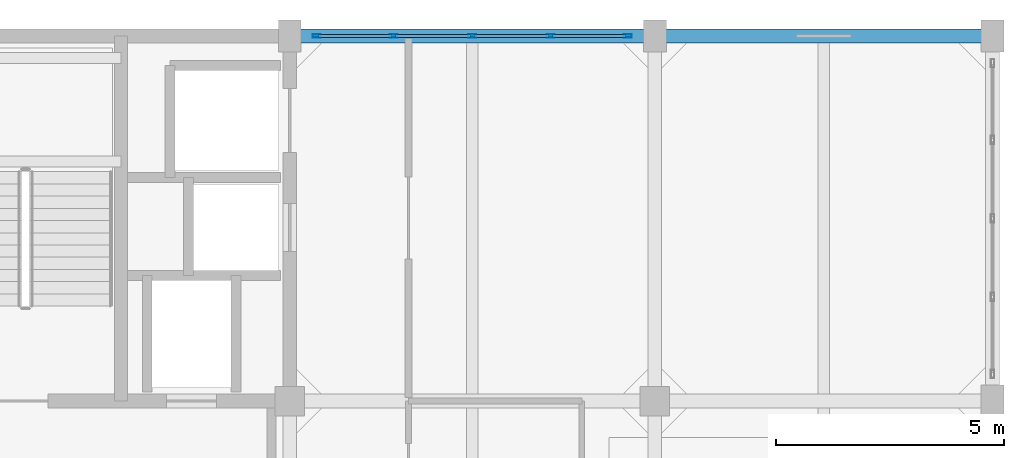
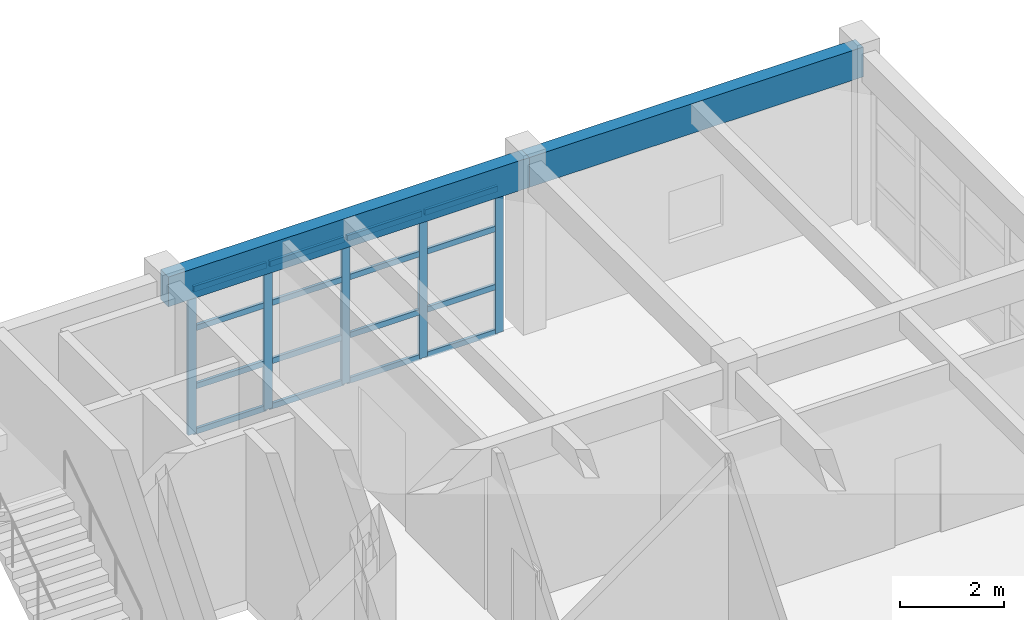
# One storey, part 10 of 16: 21 members, 2 beams, 1 element without a shape of its own.
"""IFC4 building model written with IfcOpenShell, lengths in metres."""

import ifcopenshell
import ifcopenshell.guid

model = None  # the IFC model being written
_history = None  # IfcOwnerHistory: only IFC2X3 demands one
_inside = {}  # id of a spatial element -> (the spatial element, [elements in it])
_under = {}  # id of a project, library or spatial element -> (it, [spatial elements below it])
_declared = {}  # id of a project -> (the project, [libraries it declares])
_typed = {}  # id of a type object -> (the type object, [elements of that type])
_made_of = {}  # id of a material, layer set ... -> (it, [elements and type objects made of it])


def new_model(schema):
    """Start an empty IFC model of exactly this schema.

    Asked for "IFC4X3", IfcOpenShell would pick the latest addendum, in which some entities
    have other attributes; the version numbers below select the first issue.
    IFC2X3 requires an IfcOwnerHistory on every rooted entity: one is made here for all.
    """
    global model, _history
    if schema == "IFC4X3":
        model = ifcopenshell.file(schema_version=(4, 3, 0, 0))
    else:
        model = ifcopenshell.file(schema=schema)
    _inside.clear()
    _under.clear()
    _declared.clear()
    _typed.clear()
    _made_of.clear()
    _history = None
    if model.schema == "IFC2X3":
        org = make("IfcOrganization", Name="unknown")
        user = make(
            "IfcPersonAndOrganization",
            ThePerson=make("IfcPerson", FamilyName="unknown"),
            TheOrganization=org,
        )
        app = make(
            "IfcApplication",
            ApplicationDeveloper=org,
            Version="unknown",
            ApplicationFullName="unknown",
            ApplicationIdentifier="unknown",
        )
        _history = make(
            "IfcOwnerHistory",
            OwningUser=user,
            OwningApplication=app,
            ChangeAction="ADDED",
            CreationDate=0,
        )
    return model


def make(cls, **values):
    """One entity of the class cls with the attributes given. An attribute that is None is left unset."""
    return model.create_entity(
        cls, **{name: value for name, value in values.items() if value is not None}
    )


def rooted(cls, **values):
    """An entity with a GlobalId (a new one), such as an element, a storey or a relation."""
    return make(cls, GlobalId=ifcopenshell.guid.new(), OwnerHistory=_history, **values)


def si_unit(unit_type, name, prefix=None):
    """IfcSIUnit, for example si_unit("LENGTHUNIT", "METRE", prefix="MILLI")."""
    return make("IfcSIUnit", UnitType=unit_type, Prefix=prefix, Name=name)


def assignment(units):
    """IfcUnitAssignment: the units of a project."""
    return None if units is None else make("IfcUnitAssignment", Units=units)


def point(xyz):
    """IfcCartesianPoint."""
    return None if xyz is None else make("IfcCartesianPoint", Coordinates=xyz)


def direction(xyz):
    """IfcDirection."""
    return None if xyz is None else make("IfcDirection", DirectionRatios=xyz)


def frame(location, z_axis=None, x_axis=None):
    """IfcAxis2Placement3D, a coordinate frame: its origin and axes. An axis left out is left unset."""
    return make(
        "IfcAxis2Placement3D",
        Location=point(location),
        Axis=direction(z_axis),
        RefDirection=direction(x_axis),
    )


def frame_2d(location, x_axis=None):
    """IfcAxis2Placement2D, a coordinate frame in the plane: its origin and x axis."""
    return make(
        "IfcAxis2Placement2D", Location=point(location), RefDirection=direction(x_axis)
    )


def origin():
    """The frame at (0, 0, 0) with its axes left unset."""
    return frame((0.0, 0.0, 0.0))


def origin_2d():
    """The frame at (0, 0) in the plane with its x axis left unset."""
    return frame_2d((0.0, 0.0))


def place(relative_to, where):
    """IfcLocalPlacement: puts the frame where relative to a parent placement (None: the world)."""
    return make(
        "IfcLocalPlacement", PlacementRelTo=relative_to, RelativePlacement=where
    )


def context(
    kind, dimensions, precision=None, world=None, true_north=None, identifier=None
):
    """IfcGeometricRepresentationContext, for example the 3D "Model" context."""
    return make(
        "IfcGeometricRepresentationContext",
        ContextIdentifier=identifier,
        ContextType=kind,
        CoordinateSpaceDimension=dimensions,
        Precision=precision,
        WorldCoordinateSystem=world,
        TrueNorth=true_north,
    )


def subcontext(parent, identifier, kind, view, scale=None):
    """IfcGeometricRepresentationSubContext, for example "Body" below "Model"."""
    return make(
        "IfcGeometricRepresentationSubContext",
        ContextIdentifier=identifier,
        ContextType=kind,
        ParentContext=parent,
        TargetScale=scale,
        TargetView=view,
    )


def project(units=None, contexts=None):
    """IfcProject with its units and contexts."""
    return rooted(
        "IfcProject",
        Name="project",
        RepresentationContexts=contexts,
        UnitsInContext=assignment(units),
    )


def spatial(cls, under=None, at=None, **own):
    """A site, building, storey or space (cls), placed at a placement, below another one or the project."""
    s = rooted(cls, ObjectPlacement=at, **own)
    if under is not None:
        _under.setdefault(under.id(), (under, []))[1].append(s)
    return s


def profile(cls, at=None, kind="AREA", **sizes):
    """A parametric profile (cls). Its sizes go by their IFC names, for example OverallWidth=200.0."""
    return make(cls, ProfileType=kind, Position=at, **sizes)


def rectangle(**sizes):
    """IfcRectangleProfileDef."""
    return profile("IfcRectangleProfileDef", **sizes)


def hollow_rectangle(**sizes):
    """IfcRectangleHollowProfileDef."""
    return profile("IfcRectangleHollowProfileDef", **sizes)


def extrude(swept, where, along, depth):
    """IfcExtrudedAreaSolid: the profile swept, set in the frame where, extruded along a direction by depth."""
    return make(
        "IfcExtrudedAreaSolid",
        SweptArea=swept,
        Position=where,
        ExtrudedDirection=direction(along),
        Depth=depth,
    )


def shape(context_of_items, identifier, shape_type, items):
    """IfcShapeRepresentation: the items that make up one representation, for example the "Body"."""
    return make(
        "IfcShapeRepresentation",
        ContextOfItems=context_of_items,
        RepresentationIdentifier=identifier,
        RepresentationType=shape_type,
        Items=items,
    )


def material(Name=None, Category=None):
    """IfcMaterial."""
    return make("IfcMaterial", Name=Name, Category=Category)


def layer(
    of_material, thickness, ventilated=None, Name=None, Category=None, Priority=None
):
    """IfcMaterialLayer: one layer of a wall or slab, of a material (None: an air gap)."""
    return make(
        "IfcMaterialLayer",
        Material=of_material,
        LayerThickness=thickness,
        IsVentilated=ventilated,
        Name=Name,
        Category=Category,
        Priority=Priority,
    )


def layer_set(layers, Name=None):
    """IfcMaterialLayerSet."""
    return make("IfcMaterialLayerSet", MaterialLayers=layers, LayerSetName=Name)


def material_profile(
    of_material, cross_section, Name=None, Category=None, Priority=None
):
    """IfcMaterialProfile: a cross section and its material."""
    return make(
        "IfcMaterialProfile",
        Name=Name,
        Material=of_material,
        Profile=cross_section,
        Priority=Priority,
        Category=Category,
    )


def profile_set(profiles, Name=None, composite=None):
    """IfcMaterialProfileSet."""
    return make(
        "IfcMaterialProfileSet",
        Name=Name,
        MaterialProfiles=profiles,
        CompositeProfile=composite,
    )


def made_of(thing, what):
    """Note that an element or type object is made of a material, layer set ...; save() writes the relation."""
    if what is not None:
        _made_of.setdefault(what.id(), (what, []))[1].append(thing)
    return thing


def type_object(cls, material=None, **own):
    """A type object (cls), such as IfcWallType, which elements share."""
    return made_of(rooted(cls, **own), material)


def element(
    cls,
    number,
    at=None,
    inside=None,
    cuts=None,
    type_object=None,
    material=None,
    context=None,
    identifier="Body",
    shape_type=None,
    held_by="IfcProductDefinitionShape",
    body=None,
    shapes=None,
    **own,
):
    """One element of the class cls, such as IfcWall. Its Tag is "e" and its number.

    at: its placement. inside: the storey or other place that contains it. cuts: it is an
    opening in that element (IfcRelVoidsElement). A single representation is given by context,
    identifier, shape_type and body (its items); several are given by shapes. held_by: the class
    of the entity that holds the representations. save() writes the other relations.
    """
    e = rooted(cls, Tag="e%d" % number, ObjectPlacement=at, **own)
    if body is not None:
        shapes = [shape(context, identifier, shape_type, body)]
    if shapes is not None:
        e.Representation = make(held_by, Representations=shapes)
    if inside is not None:
        _inside.setdefault(inside.id(), (inside, []))[1].append(e)
    if cuts is not None:
        rooted(
            "IfcRelVoidsElement", RelatingBuildingElement=cuts, RelatedOpeningElement=e
        )
    if type_object is not None:
        _typed.setdefault(type_object.id(), (type_object, []))[1].append(e)
    return made_of(e, material)


def aggregate(whole, parts):
    """IfcRelAggregates: a whole, such as a stair, and the parts it consists of."""
    return rooted("IfcRelAggregates", RelatingObject=whole, RelatedObjects=parts)


def save(model, path):
    """Write the relations noted so far, then the file.

    IfcRelAggregates (storeys below a building ...), IfcRelContainedInSpatialStructure (elements
    in a storey), IfcRelDefinesByType, IfcRelAssociatesMaterial and IfcRelDeclares: one each for
    every whole, place, type object, material and project.
    """
    for whole, parts in _under.values():
        aggregate(whole, parts)
    for where, things in _inside.values():
        rooted(
            "IfcRelContainedInSpatialStructure",
            RelatedElements=things,
            RelatingStructure=where,
        )
    for kind, things in _typed.values():
        rooted("IfcRelDefinesByType", RelatedObjects=things, RelatingType=kind)
    for what, things in _made_of.values():
        rooted("IfcRelAssociatesMaterial", RelatedObjects=things, RelatingMaterial=what)
    for by, libraries in _declared.values():
        rooted("IfcRelDeclares", RelatingContext=by, RelatedDefinitions=libraries)
    model.write(path)


model = new_model("IFC4")

# Units and contexts
model_context = context("Model", 3, precision=1e-05, world=origin(), true_north=direction((0.0, 1.0)))
body_context = subcontext(model_context, "Body", "Model", "MODEL_VIEW")
ifc_project = project(units=[si_unit("LENGTHUNIT", "METRE"), si_unit("AREAUNIT", "SQUARE_METRE"), si_unit("VOLUMEUNIT", "CUBIC_METRE"), si_unit("PLANEANGLEUNIT", "RADIAN"), si_unit("MASSUNIT", "GRAM", prefix="KILO")], contexts=[model_context])

# Site, building, storey
site_placement = place(None, origin())
site = spatial("IfcSite", under=ifc_project, at=site_placement, CompositionType="ELEMENT")
building_placement = place(site_placement, origin())
building = spatial("IfcBuilding", under=site, at=building_placement, Name="Canggui Botanical Conservatory", CompositionType="ELEMENT")
storey_placement = place(building_placement, frame((0.0, 0.0, 65.39990234375)))
storey = spatial("IfcBuildingStorey", under=building, at=storey_placement, Name="L16", CompositionType="ELEMENT", Elevation=65.39990234375)

# Beams
ifc_material_1 = material(Name="Concrete C35", Category="concrete")
ifc_material_profile_1 = material_profile(ifc_material_1, rectangle(XDim=0.300048828125, YDim=0.699951171875, at=origin_2d()), Name="RB 300x700")
ifc_profile_set_1 = profile_set([ifc_material_profile_1], Name="Concrete C35")
beam_type = type_object("IfcBeamType", Name="BM-KL21", PredefinedType="BEAM", material=ifc_profile_set_1)
beam_1_placement = place(storey_placement, frame((162.0, 66.0, 3.610107421875), z_axis=(1.0, 0.0, 0.0), x_axis=(0.0, 1.0, 0.0)))
element("IfcBeam", 1, at=beam_1_placement, inside=storey, type_object=beam_type, Name="Frame Girder L16 Y66-3", PredefinedType="BEAM", context=body_context, shape_type="SweptSolid", body=[
    extrude(rectangle(XDim=0.300048828125, YDim=0.699951171875, at=origin_2d()), origin(), (0.0, 0.0, 1.0), 8.0),
])
beam_2_placement = place(storey_placement, frame((170.0, 66.0, 3.610107421875), z_axis=(1.0, 0.0, 0.0), x_axis=(0.0, 1.0, 0.0)))
element("IfcBeam", 2, at=beam_2_placement, inside=storey, type_object=beam_type, Name="Frame Girder L16 Y66-4", PredefinedType="BEAM", context=body_context, shape_type="SweptSolid", body=[
    extrude(rectangle(XDim=0.300048828125, YDim=0.699951171875, at=origin_2d()), origin(), (0.0, 0.0, 1.0), 7.39990234375),
])

# Curtain wall, members
ifc_material_2 = material(Name="Thermally Broken Aluminium", Category="aluminium")
ifc_layer = layer(ifc_material_2, 0.179931640625, Name="Thermally Broken Aluminium", Category="aluminium")
ifc_layer_set = layer_set([ifc_layer], Name="Thermally Broken Aluminium")
curtain_wall_type = type_object("IfcCurtainWallType", Name="CW-UNIT-A", PredefinedType="USERDEFINED", material=ifc_layer_set)
curtain_wall_placement = place(storey_placement, origin())
curtain_wall = element("IfcCurtainWall", 3, at=curtain_wall_placement, inside=storey, type_object=curtain_wall_type, Name="Facade Curtain Wall CW-TWR-L16-08", ObjectType="UNITISED CURTAIN WALL", PredefinedType="USERDEFINED")
ifc_material_profile_2 = material_profile(ifc_material_2, hollow_rectangle(XDim=0.070068359375, YDim=0.179931640625, WallThickness=0.00390625, at=origin_2d()), Name="CWM 70x180x4")
ifc_profile_set_2 = profile_set([ifc_material_profile_2], Name="Thermally Broken Aluminium")
member_type_1 = type_object("IfcMemberType", Name="CWM-01", PredefinedType="MULLION", material=ifc_profile_set_2)
member_1_placement = place(storey_placement, frame((162.594970703125, 66.0, 0.0), z_axis=(0.0, 0.0, 1.0), x_axis=(0.0, 1.0, 0.0)))
member_1 = element("IfcMember", 4, at=member_1_placement, type_object=member_type_1, Name="CW-01 mullion 1", PredefinedType="MULLION", context=body_context, shape_type="SweptSolid", body=[
    extrude(hollow_rectangle(XDim=0.070068359375, YDim=0.179931640625, WallThickness=0.00390625, at=origin_2d()), origin(), (0.0, 0.0, 1.0), 3.41015625),
])
member_2_placement = place(storey_placement, frame((164.280029296875, 66.0, 0.0), z_axis=(0.0, 0.0, 1.0), x_axis=(0.0, 1.0, 0.0)))
member_2 = element("IfcMember", 5, at=member_2_placement, type_object=member_type_1, Name="CW-01 mullion 2", PredefinedType="MULLION", context=body_context, shape_type="SweptSolid", body=[
    extrude(hollow_rectangle(XDim=0.070068359375, YDim=0.179931640625, WallThickness=0.00390625, at=origin_2d()), origin(), (0.0, 0.0, 1.0), 3.41015625),
])
member_3_placement = place(storey_placement, frame((166.0, 66.0, 0.0), z_axis=(0.0, 0.0, 1.0), x_axis=(0.0, 1.0, 0.0)))
member_3 = element("IfcMember", 6, at=member_3_placement, type_object=member_type_1, Name="CW-01 mullion 3", PredefinedType="MULLION", context=body_context, shape_type="SweptSolid", body=[
    extrude(hollow_rectangle(XDim=0.070068359375, YDim=0.179931640625, WallThickness=0.00390625, at=origin_2d()), origin(), (0.0, 0.0, 1.0), 3.41015625),
])
member_4_placement = place(storey_placement, frame((167.719970703125, 66.0, 0.0), z_axis=(0.0, 0.0, 1.0), x_axis=(0.0, 1.0, 0.0)))
member_4 = element("IfcMember", 7, at=member_4_placement, type_object=member_type_1, Name="CW-01 mullion 4", PredefinedType="MULLION", context=body_context, shape_type="SweptSolid", body=[
    extrude(hollow_rectangle(XDim=0.070068359375, YDim=0.179931640625, WallThickness=0.00390625, at=origin_2d()), origin(), (0.0, 0.0, 1.0), 3.41015625),
])
member_5_placement = place(storey_placement, frame((169.405029296875, 66.0, 0.0), z_axis=(0.0, 0.0, 1.0), x_axis=(0.0, 1.0, 0.0)))
member_5 = element("IfcMember", 8, at=member_5_placement, type_object=member_type_1, Name="CW-01 mullion 5", PredefinedType="MULLION", context=body_context, shape_type="SweptSolid", body=[
    extrude(hollow_rectangle(XDim=0.070068359375, YDim=0.179931640625, WallThickness=0.00390625, at=origin_2d()), origin(), (0.0, 0.0, 1.0), 3.41015625),
])
ifc_material_profile_3 = material_profile(ifc_material_2, hollow_rectangle(XDim=0.06494140625, YDim=0.1298828125, WallThickness=0.00341796875, at=origin_2d()), Name="CWT 65x130x3.5")
ifc_profile_set_3 = profile_set([ifc_material_profile_3], Name="Thermally Broken Aluminium")
member_type_2 = type_object("IfcMemberType", Name="CWT-01", PredefinedType="USERDEFINED", material=ifc_profile_set_3)
member_6_placement = place(storey_placement, frame((162.6298828125, 66.0, 0.03271484375), z_axis=(1.0, 0.0, 0.0), x_axis=(0.0, 1.0, 0.0)))
member_6 = element("IfcMember", 9, at=member_6_placement, type_object=member_type_2, Name="CW-01 transom 1.1", ObjectType="TRANSOM", PredefinedType="USERDEFINED", context=body_context, shape_type="SweptSolid", body=[
    extrude(hollow_rectangle(XDim=0.06494140625, YDim=0.1298828125, WallThickness=0.00341796875, at=origin_2d()), origin(), (0.0, 0.0, 1.0), 1.615234375),
])
member_7_placement = place(storey_placement, frame((162.6298828125, 66.0, 1.09130859375), z_axis=(1.0, 0.0, 0.0), x_axis=(0.0, 1.0, 0.0)))
member_7 = element("IfcMember", 10, at=member_7_placement, type_object=member_type_2, Name="CW-01 transom 1.2", ObjectType="TRANSOM", PredefinedType="USERDEFINED", context=body_context, shape_type="SweptSolid", body=[
    extrude(hollow_rectangle(XDim=0.06494140625, YDim=0.1298828125, WallThickness=0.00341796875, at=origin_2d()), origin(), (0.0, 0.0, 1.0), 1.615234375),
])
member_8_placement = place(storey_placement, frame((162.6298828125, 66.0, 2.455322265625), z_axis=(1.0, 0.0, 0.0), x_axis=(0.0, 1.0, 0.0)))
member_8 = element("IfcMember", 11, at=member_8_placement, type_object=member_type_2, Name="CW-01 transom 1.3", ObjectType="TRANSOM", PredefinedType="USERDEFINED", context=body_context, shape_type="SweptSolid", body=[
    extrude(hollow_rectangle(XDim=0.06494140625, YDim=0.1298828125, WallThickness=0.00341796875, at=origin_2d()), origin(), (0.0, 0.0, 1.0), 1.615234375),
])
member_9_placement = place(storey_placement, frame((162.6298828125, 66.0, 3.377685546875), z_axis=(1.0, 0.0, 0.0), x_axis=(0.0, 1.0, 0.0)))
member_9 = element("IfcMember", 12, at=member_9_placement, type_object=member_type_2, Name="CW-01 transom 1.4", ObjectType="TRANSOM", PredefinedType="USERDEFINED", context=body_context, shape_type="SweptSolid", body=[
    extrude(hollow_rectangle(XDim=0.06494140625, YDim=0.1298828125, WallThickness=0.00341796875, at=origin_2d()), origin(), (0.0, 0.0, 1.0), 1.615234375),
])
member_10_placement = place(storey_placement, frame((164.31494140625, 66.0, 0.03271484375), z_axis=(1.0, 0.0, 0.0), x_axis=(0.0, 1.0, 0.0)))
member_10 = element("IfcMember", 13, at=member_10_placement, type_object=member_type_2, Name="CW-01 transom 2.1", ObjectType="TRANSOM", PredefinedType="USERDEFINED", context=body_context, shape_type="SweptSolid", body=[
    extrude(hollow_rectangle(XDim=0.06494140625, YDim=0.1298828125, WallThickness=0.00341796875, at=origin_2d()), origin(), (0.0, 0.0, 1.0), 1.650146484375),
])
member_11_placement = place(storey_placement, frame((164.31494140625, 66.0, 1.09130859375), z_axis=(1.0, 0.0, 0.0), x_axis=(0.0, 1.0, 0.0)))
member_11 = element("IfcMember", 14, at=member_11_placement, type_object=member_type_2, Name="CW-01 transom 2.2", ObjectType="TRANSOM", PredefinedType="USERDEFINED", context=body_context, shape_type="SweptSolid", body=[
    extrude(hollow_rectangle(XDim=0.06494140625, YDim=0.1298828125, WallThickness=0.00341796875, at=origin_2d()), origin(), (0.0, 0.0, 1.0), 1.650146484375),
])
member_12_placement = place(storey_placement, frame((164.31494140625, 66.0, 2.455322265625), z_axis=(1.0, 0.0, 0.0), x_axis=(0.0, 1.0, 0.0)))
member_12 = element("IfcMember", 15, at=member_12_placement, type_object=member_type_2, Name="CW-01 transom 2.3", ObjectType="TRANSOM", PredefinedType="USERDEFINED", context=body_context, shape_type="SweptSolid", body=[
    extrude(hollow_rectangle(XDim=0.06494140625, YDim=0.1298828125, WallThickness=0.00341796875, at=origin_2d()), origin(), (0.0, 0.0, 1.0), 1.650146484375),
])
member_13_placement = place(storey_placement, frame((164.31494140625, 66.0, 3.377685546875), z_axis=(1.0, 0.0, 0.0), x_axis=(0.0, 1.0, 0.0)))
member_13 = element("IfcMember", 16, at=member_13_placement, type_object=member_type_2, Name="CW-01 transom 2.4", ObjectType="TRANSOM", PredefinedType="USERDEFINED", context=body_context, shape_type="SweptSolid", body=[
    extrude(hollow_rectangle(XDim=0.06494140625, YDim=0.1298828125, WallThickness=0.00341796875, at=origin_2d()), origin(), (0.0, 0.0, 1.0), 1.650146484375),
])
member_14_placement = place(storey_placement, frame((166.034912109375, 66.0, 0.03271484375), z_axis=(1.0, 0.0, 0.0), x_axis=(0.0, 1.0, 0.0)))
member_14 = element("IfcMember", 17, at=member_14_placement, type_object=member_type_2, Name="CW-01 transom 3.1", ObjectType="TRANSOM", PredefinedType="USERDEFINED", context=body_context, shape_type="SweptSolid", body=[
    extrude(hollow_rectangle(XDim=0.06494140625, YDim=0.1298828125, WallThickness=0.00341796875, at=origin_2d()), origin(), (0.0, 0.0, 1.0), 1.650146484375),
])
member_15_placement = place(storey_placement, frame((166.034912109375, 66.0, 1.09130859375), z_axis=(1.0, 0.0, 0.0), x_axis=(0.0, 1.0, 0.0)))
member_15 = element("IfcMember", 18, at=member_15_placement, type_object=member_type_2, Name="CW-01 transom 3.2", ObjectType="TRANSOM", PredefinedType="USERDEFINED", context=body_context, shape_type="SweptSolid", body=[
    extrude(hollow_rectangle(XDim=0.06494140625, YDim=0.1298828125, WallThickness=0.00341796875, at=origin_2d()), origin(), (0.0, 0.0, 1.0), 1.650146484375),
])
member_16_placement = place(storey_placement, frame((166.034912109375, 66.0, 2.455322265625), z_axis=(1.0, 0.0, 0.0), x_axis=(0.0, 1.0, 0.0)))
member_16 = element("IfcMember", 19, at=member_16_placement, type_object=member_type_2, Name="CW-01 transom 3.3", ObjectType="TRANSOM", PredefinedType="USERDEFINED", context=body_context, shape_type="SweptSolid", body=[
    extrude(hollow_rectangle(XDim=0.06494140625, YDim=0.1298828125, WallThickness=0.00341796875, at=origin_2d()), origin(), (0.0, 0.0, 1.0), 1.650146484375),
])
member_17_placement = place(storey_placement, frame((166.034912109375, 66.0, 3.377685546875), z_axis=(1.0, 0.0, 0.0), x_axis=(0.0, 1.0, 0.0)))
member_17 = element("IfcMember", 20, at=member_17_placement, type_object=member_type_2, Name="CW-01 transom 3.4", ObjectType="TRANSOM", PredefinedType="USERDEFINED", context=body_context, shape_type="SweptSolid", body=[
    extrude(hollow_rectangle(XDim=0.06494140625, YDim=0.1298828125, WallThickness=0.00341796875, at=origin_2d()), origin(), (0.0, 0.0, 1.0), 1.650146484375),
])
member_18_placement = place(storey_placement, frame((167.7548828125, 66.0, 0.03271484375), z_axis=(1.0, 0.0, 0.0), x_axis=(0.0, 1.0, 0.0)))
member_18 = element("IfcMember", 21, at=member_18_placement, type_object=member_type_2, Name="CW-01 transom 4.1", ObjectType="TRANSOM", PredefinedType="USERDEFINED", context=body_context, shape_type="SweptSolid", body=[
    extrude(hollow_rectangle(XDim=0.06494140625, YDim=0.1298828125, WallThickness=0.00341796875, at=origin_2d()), origin(), (0.0, 0.0, 1.0), 1.615234375),
])
member_19_placement = place(storey_placement, frame((167.7548828125, 66.0, 1.09130859375), z_axis=(1.0, 0.0, 0.0), x_axis=(0.0, 1.0, 0.0)))
member_19 = element("IfcMember", 22, at=member_19_placement, type_object=member_type_2, Name="CW-01 transom 4.2", ObjectType="TRANSOM", PredefinedType="USERDEFINED", context=body_context, shape_type="SweptSolid", body=[
    extrude(hollow_rectangle(XDim=0.06494140625, YDim=0.1298828125, WallThickness=0.00341796875, at=origin_2d()), origin(), (0.0, 0.0, 1.0), 1.615234375),
])
member_20_placement = place(storey_placement, frame((167.7548828125, 66.0, 2.455322265625), z_axis=(1.0, 0.0, 0.0), x_axis=(0.0, 1.0, 0.0)))
member_20 = element("IfcMember", 23, at=member_20_placement, type_object=member_type_2, Name="CW-01 transom 4.3", ObjectType="TRANSOM", PredefinedType="USERDEFINED", context=body_context, shape_type="SweptSolid", body=[
    extrude(hollow_rectangle(XDim=0.06494140625, YDim=0.1298828125, WallThickness=0.00341796875, at=origin_2d()), origin(), (0.0, 0.0, 1.0), 1.615234375),
])
member_21_placement = place(storey_placement, frame((167.7548828125, 66.0, 3.377685546875), z_axis=(1.0, 0.0, 0.0), x_axis=(0.0, 1.0, 0.0)))
member_21 = element("IfcMember", 24, at=member_21_placement, type_object=member_type_2, Name="CW-01 transom 4.4", ObjectType="TRANSOM", PredefinedType="USERDEFINED", context=body_context, shape_type="SweptSolid", body=[
    extrude(hollow_rectangle(XDim=0.06494140625, YDim=0.1298828125, WallThickness=0.00341796875, at=origin_2d()), origin(), (0.0, 0.0, 1.0), 1.615234375),
])
aggregate(curtain_wall, [member_1, member_2, member_3, member_4, member_5, member_6, member_7, member_8, member_9, member_10, member_11, member_12, member_13, member_14, member_15, member_16, member_17, member_18, member_19, member_20, member_21])

save(model, "model.ifc")
